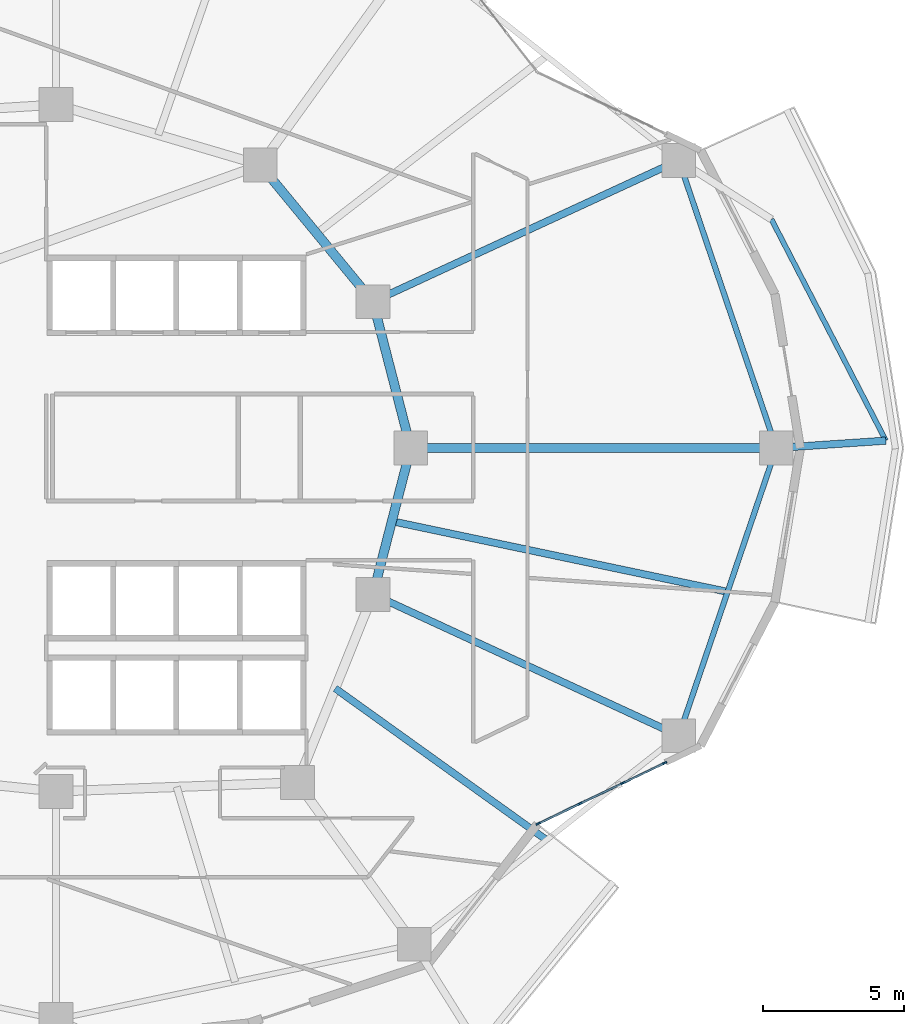
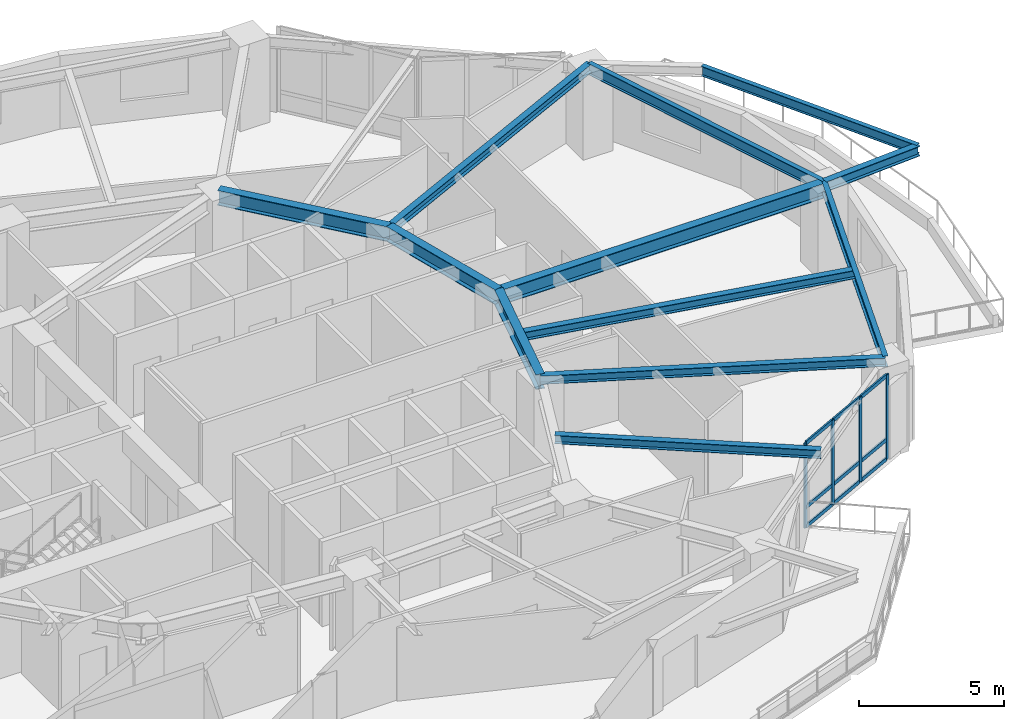
# One storey, part 2 of 13: 13 members, 12 beams, 1 element without a shape of its own.
"""IFC4 building model written with IfcOpenShell, lengths in metres."""

import ifcopenshell
import ifcopenshell.guid

model = None  # the IFC model being written
_history = None  # IfcOwnerHistory: only IFC2X3 demands one
_inside = {}  # id of a spatial element -> (the spatial element, [elements in it])
_under = {}  # id of a project, library or spatial element -> (it, [spatial elements below it])
_declared = {}  # id of a project -> (the project, [libraries it declares])
_typed = {}  # id of a type object -> (the type object, [elements of that type])
_made_of = {}  # id of a material, layer set ... -> (it, [elements and type objects made of it])


def new_model(schema):
    """Start an empty IFC model of exactly this schema.

    Asked for "IFC4X3", IfcOpenShell would pick the latest addendum, in which some entities
    have other attributes; the version numbers below select the first issue.
    IFC2X3 requires an IfcOwnerHistory on every rooted entity: one is made here for all.
    """
    global model, _history
    if schema == "IFC4X3":
        model = ifcopenshell.file(schema_version=(4, 3, 0, 0))
    else:
        model = ifcopenshell.file(schema=schema)
    _inside.clear()
    _under.clear()
    _declared.clear()
    _typed.clear()
    _made_of.clear()
    _history = None
    if model.schema == "IFC2X3":
        org = make("IfcOrganization", Name="unknown")
        user = make(
            "IfcPersonAndOrganization",
            ThePerson=make("IfcPerson", FamilyName="unknown"),
            TheOrganization=org,
        )
        app = make(
            "IfcApplication",
            ApplicationDeveloper=org,
            Version="unknown",
            ApplicationFullName="unknown",
            ApplicationIdentifier="unknown",
        )
        _history = make(
            "IfcOwnerHistory",
            OwningUser=user,
            OwningApplication=app,
            ChangeAction="ADDED",
            CreationDate=0,
        )
    return model


def make(cls, **values):
    """One entity of the class cls with the attributes given. An attribute that is None is left unset."""
    return model.create_entity(
        cls, **{name: value for name, value in values.items() if value is not None}
    )


def rooted(cls, **values):
    """An entity with a GlobalId (a new one), such as an element, a storey or a relation."""
    return make(cls, GlobalId=ifcopenshell.guid.new(), OwnerHistory=_history, **values)


def si_unit(unit_type, name, prefix=None):
    """IfcSIUnit, for example si_unit("LENGTHUNIT", "METRE", prefix="MILLI")."""
    return make("IfcSIUnit", UnitType=unit_type, Prefix=prefix, Name=name)


def assignment(units):
    """IfcUnitAssignment: the units of a project."""
    return None if units is None else make("IfcUnitAssignment", Units=units)


def point(xyz):
    """IfcCartesianPoint."""
    return None if xyz is None else make("IfcCartesianPoint", Coordinates=xyz)


def direction(xyz):
    """IfcDirection."""
    return None if xyz is None else make("IfcDirection", DirectionRatios=xyz)


def frame(location, z_axis=None, x_axis=None):
    """IfcAxis2Placement3D, a coordinate frame: its origin and axes. An axis left out is left unset."""
    return make(
        "IfcAxis2Placement3D",
        Location=point(location),
        Axis=direction(z_axis),
        RefDirection=direction(x_axis),
    )


def frame_2d(location, x_axis=None):
    """IfcAxis2Placement2D, a coordinate frame in the plane: its origin and x axis."""
    return make(
        "IfcAxis2Placement2D", Location=point(location), RefDirection=direction(x_axis)
    )


def origin():
    """The frame at (0, 0, 0) with its axes left unset."""
    return frame((0.0, 0.0, 0.0))


def origin_2d():
    """The frame at (0, 0) in the plane with its x axis left unset."""
    return frame_2d((0.0, 0.0))


def place(relative_to, where):
    """IfcLocalPlacement: puts the frame where relative to a parent placement (None: the world)."""
    return make(
        "IfcLocalPlacement", PlacementRelTo=relative_to, RelativePlacement=where
    )


def context(
    kind, dimensions, precision=None, world=None, true_north=None, identifier=None
):
    """IfcGeometricRepresentationContext, for example the 3D "Model" context."""
    return make(
        "IfcGeometricRepresentationContext",
        ContextIdentifier=identifier,
        ContextType=kind,
        CoordinateSpaceDimension=dimensions,
        Precision=precision,
        WorldCoordinateSystem=world,
        TrueNorth=true_north,
    )


def subcontext(parent, identifier, kind, view, scale=None):
    """IfcGeometricRepresentationSubContext, for example "Body" below "Model"."""
    return make(
        "IfcGeometricRepresentationSubContext",
        ContextIdentifier=identifier,
        ContextType=kind,
        ParentContext=parent,
        TargetScale=scale,
        TargetView=view,
    )


def project(units=None, contexts=None):
    """IfcProject with its units and contexts."""
    return rooted(
        "IfcProject",
        Name="project",
        RepresentationContexts=contexts,
        UnitsInContext=assignment(units),
    )


def spatial(cls, under=None, at=None, **own):
    """A site, building, storey or space (cls), placed at a placement, below another one or the project."""
    s = rooted(cls, ObjectPlacement=at, **own)
    if under is not None:
        _under.setdefault(under.id(), (under, []))[1].append(s)
    return s


def profile(cls, at=None, kind="AREA", **sizes):
    """A parametric profile (cls). Its sizes go by their IFC names, for example OverallWidth=200.0."""
    return make(cls, ProfileType=kind, Position=at, **sizes)


def rectangle(**sizes):
    """IfcRectangleProfileDef."""
    return profile("IfcRectangleProfileDef", **sizes)


def i_section(**sizes):
    """IfcIShapeProfileDef."""
    return profile("IfcIShapeProfileDef", **sizes)


def extrude(swept, where, along, depth):
    """IfcExtrudedAreaSolid: the profile swept, set in the frame where, extruded along a direction by depth."""
    return make(
        "IfcExtrudedAreaSolid",
        SweptArea=swept,
        Position=where,
        ExtrudedDirection=direction(along),
        Depth=depth,
    )


def shape(context_of_items, identifier, shape_type, items):
    """IfcShapeRepresentation: the items that make up one representation, for example the "Body"."""
    return make(
        "IfcShapeRepresentation",
        ContextOfItems=context_of_items,
        RepresentationIdentifier=identifier,
        RepresentationType=shape_type,
        Items=items,
    )


def material(Name=None, Category=None):
    """IfcMaterial."""
    return make("IfcMaterial", Name=Name, Category=Category)


def layer(
    of_material, thickness, ventilated=None, Name=None, Category=None, Priority=None
):
    """IfcMaterialLayer: one layer of a wall or slab, of a material (None: an air gap)."""
    return make(
        "IfcMaterialLayer",
        Material=of_material,
        LayerThickness=thickness,
        IsVentilated=ventilated,
        Name=Name,
        Category=Category,
        Priority=Priority,
    )


def layer_set(layers, Name=None):
    """IfcMaterialLayerSet."""
    return make("IfcMaterialLayerSet", MaterialLayers=layers, LayerSetName=Name)


def material_profile(
    of_material, cross_section, Name=None, Category=None, Priority=None
):
    """IfcMaterialProfile: a cross section and its material."""
    return make(
        "IfcMaterialProfile",
        Name=Name,
        Material=of_material,
        Profile=cross_section,
        Priority=Priority,
        Category=Category,
    )


def profile_set(profiles, Name=None, composite=None):
    """IfcMaterialProfileSet."""
    return make(
        "IfcMaterialProfileSet",
        Name=Name,
        MaterialProfiles=profiles,
        CompositeProfile=composite,
    )


def made_of(thing, what):
    """Note that an element or type object is made of a material, layer set ...; save() writes the relation."""
    if what is not None:
        _made_of.setdefault(what.id(), (what, []))[1].append(thing)
    return thing


def type_object(cls, material=None, **own):
    """A type object (cls), such as IfcWallType, which elements share."""
    return made_of(rooted(cls, **own), material)


def element(
    cls,
    number,
    at=None,
    inside=None,
    cuts=None,
    type_object=None,
    material=None,
    context=None,
    identifier="Body",
    shape_type=None,
    held_by="IfcProductDefinitionShape",
    body=None,
    shapes=None,
    **own,
):
    """One element of the class cls, such as IfcWall. Its Tag is "e" and its number.

    at: its placement. inside: the storey or other place that contains it. cuts: it is an
    opening in that element (IfcRelVoidsElement). A single representation is given by context,
    identifier, shape_type and body (its items); several are given by shapes. held_by: the class
    of the entity that holds the representations. save() writes the other relations.
    """
    e = rooted(cls, Tag="e%d" % number, ObjectPlacement=at, **own)
    if body is not None:
        shapes = [shape(context, identifier, shape_type, body)]
    if shapes is not None:
        e.Representation = make(held_by, Representations=shapes)
    if inside is not None:
        _inside.setdefault(inside.id(), (inside, []))[1].append(e)
    if cuts is not None:
        rooted(
            "IfcRelVoidsElement", RelatingBuildingElement=cuts, RelatedOpeningElement=e
        )
    if type_object is not None:
        _typed.setdefault(type_object.id(), (type_object, []))[1].append(e)
    return made_of(e, material)


def aggregate(whole, parts):
    """IfcRelAggregates: a whole, such as a stair, and the parts it consists of."""
    return rooted("IfcRelAggregates", RelatingObject=whole, RelatedObjects=parts)


def save(model, path):
    """Write the relations noted so far, then the file.

    IfcRelAggregates (storeys below a building ...), IfcRelContainedInSpatialStructure (elements
    in a storey), IfcRelDefinesByType, IfcRelAssociatesMaterial and IfcRelDeclares: one each for
    every whole, place, type object, material and project.
    """
    for whole, parts in _under.values():
        aggregate(whole, parts)
    for where, things in _inside.values():
        rooted(
            "IfcRelContainedInSpatialStructure",
            RelatedElements=things,
            RelatingStructure=where,
        )
    for kind, things in _typed.values():
        rooted("IfcRelDefinesByType", RelatedObjects=things, RelatingType=kind)
    for what, things in _made_of.values():
        rooted("IfcRelAssociatesMaterial", RelatedObjects=things, RelatingMaterial=what)
    for by, libraries in _declared.values():
        rooted("IfcRelDeclares", RelatingContext=by, RelatedDefinitions=libraries)
    model.write(path)


model = new_model("IFC4")

# Units and contexts
model_context = context("Model", 3, precision=1e-05, world=origin(), true_north=direction((0.0, 1.0)))
body_context = subcontext(model_context, "Body", "Model", "MODEL_VIEW")
ifc_project = project(units=[si_unit("LENGTHUNIT", "METRE"), si_unit("AREAUNIT", "SQUARE_METRE"), si_unit("VOLUMEUNIT", "CUBIC_METRE"), si_unit("PLANEANGLEUNIT", "RADIAN"), si_unit("MASSUNIT", "GRAM", prefix="KILO")], contexts=[model_context])

# Site, building, storey
site_placement = place(None, origin())
site = spatial("IfcSite", under=ifc_project, at=site_placement, CompositionType="ELEMENT")
building_placement = place(site_placement, origin())
building = spatial("IfcBuilding", under=site, at=building_placement, Name="Kolvaren Gate Tower and Convention Centre", CompositionType="ELEMENT")
storey_placement = place(building_placement, frame((0.0, 0.0, 76.550048828125)))
storey = spatial("IfcBuildingStorey", under=building, at=storey_placement, Name="L18", CompositionType="ELEMENT", Elevation=76.550048828125)

# Curtain wall, members
ifc_material_1 = material(Name="Anodized Architectural Aluminium Alloy 6063-T6", Category="aluminium")
ifc_layer = layer(ifc_material_1, 0.159912109375)
ifc_layer_set = layer_set([ifc_layer], Name="Anodized Architectural Aluminium Alloy 6063-T6")
curtain_wall_type = type_object("IfcCurtainWallType", Name="CW-OFF-UNIT", PredefinedType="NOTDEFINED", material=ifc_layer_set)
curtain_wall_placement = place(storey_placement, origin())
curtain_wall = element("IfcCurtainWall", 1, at=curtain_wall_placement, inside=storey, type_object=curtain_wall_type, Name="Tower L18 Unitised Curtain Wall CW-OFF-UNIT Bay 21", PredefinedType="NOTDEFINED")
ifc_material_profile_1 = material_profile(ifc_material_1, rectangle(XDim=0.06494140625, YDim=0.159912109375, at=origin_2d()), Name="CW-MEM-MUL-160")
ifc_profile_set_1 = profile_set([ifc_material_profile_1], Name="Anodized Architectural Aluminium Alloy 6063-T6")
member_type_1 = type_object("IfcMemberType", Name="CW-MEM-MUL-160", PredefinedType="MULLION", material=ifc_profile_set_1)
member_1_placement = place(storey_placement, frame((47.253173828125, 13.654052734375, 0.0), z_axis=(0.0, 0.0, 1.0), x_axis=(-0.433067077196, 0.901361695796, 0.0)))
member_1 = element("IfcMember", 2, at=member_1_placement, type_object=member_type_1, Name="CW-02 mullion 1", PredefinedType="MULLION", context=body_context, shape_type="SweptSolid", body=[
    extrude(rectangle(XDim=0.06494140625, YDim=0.159912109375, at=origin_2d()), origin(), (0.0, 0.0, 1.0), 3.570068359375),
])
member_2_placement = place(storey_placement, frame((48.7412109375, 14.368896484375, 0.0), z_axis=(0.0, 0.0, 1.0), x_axis=(-0.433067077196, 0.901361695796, 0.0)))
member_2 = element("IfcMember", 3, at=member_2_placement, type_object=member_type_1, Name="CW-02 mullion 2", PredefinedType="MULLION", context=body_context, shape_type="SweptSolid", body=[
    extrude(rectangle(XDim=0.06494140625, YDim=0.159912109375, at=origin_2d()), origin(), (0.0, 0.0, 1.0), 3.570068359375),
])
member_3_placement = place(storey_placement, frame((50.258544921875, 15.097900390625, 0.0), z_axis=(0.0, 0.0, 1.0), x_axis=(-0.433067077196, 0.901361695796, 0.0)))
member_3 = element("IfcMember", 4, at=member_3_placement, type_object=member_type_1, Name="CW-02 mullion 3", PredefinedType="MULLION", context=body_context, shape_type="SweptSolid", body=[
    extrude(rectangle(XDim=0.06494140625, YDim=0.159912109375, at=origin_2d()), origin(), (0.0, 0.0, 1.0), 3.570068359375),
])
member_4_placement = place(storey_placement, frame((51.74658203125, 15.812744140625, 0.0), z_axis=(0.0, 0.0, 1.0), x_axis=(-0.433067077196, 0.901361695796, 0.0)))
member_4 = element("IfcMember", 5, at=member_4_placement, type_object=member_type_1, Name="CW-02 mullion 4", PredefinedType="MULLION", context=body_context, shape_type="SweptSolid", body=[
    extrude(rectangle(XDim=0.06494140625, YDim=0.159912109375, at=origin_2d()), origin(), (0.0, 0.0, 1.0), 3.570068359375),
])
ifc_material_profile_2 = material_profile(ifc_material_1, rectangle(XDim=0.06494140625, YDim=0.159912109375, at=origin_2d()), Name="CW-MEM-TRN-160")
ifc_profile_set_2 = profile_set([ifc_material_profile_2], Name="Anodized Architectural Aluminium Alloy 6063-T6")
member_type_2 = type_object("IfcMemberType", Name="CW-MEM-TRN-160", PredefinedType="USERDEFINED", material=ifc_profile_set_2)
member_5_placement = place(storey_placement, frame((47.282470703125, 13.66796875, 0.032470703125), z_axis=(0.90136684843, 0.433056352628, 0.0), x_axis=(-0.433056352628, 0.90136684843, 0.0)))
member_5 = element("IfcMember", 6, at=member_5_placement, type_object=member_type_2, Name="CW-02 transom 1.1", ObjectType="TRANSOM", PredefinedType="USERDEFINED", context=body_context, shape_type="SweptSolid", body=[
    extrude(rectangle(XDim=0.06494140625, YDim=0.159912109375, at=origin_2d()), origin(), (0.0, 0.0, 1.0), 1.5859375),
])
member_6_placement = place(storey_placement, frame((47.282470703125, 13.66796875, 0.849853515625), z_axis=(0.90136684843, 0.433056352628, 0.0), x_axis=(-0.433056352628, 0.90136684843, 0.0)))
member_6 = element("IfcMember", 7, at=member_6_placement, type_object=member_type_2, Name="CW-02 transom 1.2", ObjectType="TRANSOM", PredefinedType="USERDEFINED", context=body_context, shape_type="SweptSolid", body=[
    extrude(rectangle(XDim=0.06494140625, YDim=0.159912109375, at=origin_2d()), origin(), (0.0, 0.0, 1.0), 1.5859375),
])
member_7_placement = place(storey_placement, frame((47.282470703125, 13.66796875, 3.537353515625), z_axis=(0.90136684843, 0.433056352628, 0.0), x_axis=(-0.433056352628, 0.90136684843, 0.0)))
member_7 = element("IfcMember", 8, at=member_7_placement, type_object=member_type_2, Name="CW-02 transom 1.3", ObjectType="TRANSOM", PredefinedType="USERDEFINED", context=body_context, shape_type="SweptSolid", body=[
    extrude(rectangle(XDim=0.06494140625, YDim=0.159912109375, at=origin_2d()), origin(), (0.0, 0.0, 1.0), 1.5859375),
])
member_8_placement = place(storey_placement, frame((48.7705078125, 14.383056640625, 0.032470703125), z_axis=(0.901405315808, 0.432976277217, 0.0), x_axis=(-0.432976277217, 0.901405315808, 0.0)))
member_8 = element("IfcMember", 9, at=member_8_placement, type_object=member_type_2, Name="CW-02 transom 2.1", ObjectType="TRANSOM", PredefinedType="USERDEFINED", context=body_context, shape_type="SweptSolid", body=[
    extrude(rectangle(XDim=0.06494140625, YDim=0.159912109375, at=origin_2d()), origin(), (0.0, 0.0, 1.0), 1.618408203125),
])
member_9_placement = place(storey_placement, frame((48.7705078125, 14.383056640625, 0.849853515625), z_axis=(0.901405315808, 0.432976277217, 0.0), x_axis=(-0.432976277217, 0.901405315808, 0.0)))
member_9 = element("IfcMember", 10, at=member_9_placement, type_object=member_type_2, Name="CW-02 transom 2.2", ObjectType="TRANSOM", PredefinedType="USERDEFINED", context=body_context, shape_type="SweptSolid", body=[
    extrude(rectangle(XDim=0.06494140625, YDim=0.159912109375, at=origin_2d()), origin(), (0.0, 0.0, 1.0), 1.618408203125),
])
member_10_placement = place(storey_placement, frame((48.7705078125, 14.383056640625, 3.537353515625), z_axis=(0.901405315808, 0.432976277217, 0.0), x_axis=(-0.432976277217, 0.901405315808, 0.0)))
member_10 = element("IfcMember", 11, at=member_10_placement, type_object=member_type_2, Name="CW-02 transom 2.3", ObjectType="TRANSOM", PredefinedType="USERDEFINED", context=body_context, shape_type="SweptSolid", body=[
    extrude(rectangle(XDim=0.06494140625, YDim=0.159912109375, at=origin_2d()), origin(), (0.0, 0.0, 1.0), 1.618408203125),
])
member_11_placement = place(storey_placement, frame((50.287841796875, 15.112060546875, 0.032470703125), z_axis=(0.90136684843, 0.433056352628, 0.0), x_axis=(-0.433056352628, 0.90136684843, 0.0)))
member_11 = element("IfcMember", 12, at=member_11_placement, type_object=member_type_2, Name="CW-02 transom 3.1", ObjectType="TRANSOM", PredefinedType="USERDEFINED", context=body_context, shape_type="SweptSolid", body=[
    extrude(rectangle(XDim=0.06494140625, YDim=0.159912109375, at=origin_2d()), origin(), (0.0, 0.0, 1.0), 1.5859375),
])
member_12_placement = place(storey_placement, frame((50.287841796875, 15.112060546875, 0.849853515625), z_axis=(0.90136684843, 0.433056352628, 0.0), x_axis=(-0.433056352628, 0.90136684843, 0.0)))
member_12 = element("IfcMember", 13, at=member_12_placement, type_object=member_type_2, Name="CW-02 transom 3.2", ObjectType="TRANSOM", PredefinedType="USERDEFINED", context=body_context, shape_type="SweptSolid", body=[
    extrude(rectangle(XDim=0.06494140625, YDim=0.159912109375, at=origin_2d()), origin(), (0.0, 0.0, 1.0), 1.5859375),
])
member_13_placement = place(storey_placement, frame((50.287841796875, 15.112060546875, 3.537353515625), z_axis=(0.90136684843, 0.433056352628, 0.0), x_axis=(-0.433056352628, 0.90136684843, 0.0)))
member_13 = element("IfcMember", 14, at=member_13_placement, type_object=member_type_2, Name="CW-02 transom 3.3", ObjectType="TRANSOM", PredefinedType="USERDEFINED", context=body_context, shape_type="SweptSolid", body=[
    extrude(rectangle(XDim=0.06494140625, YDim=0.159912109375, at=origin_2d()), origin(), (0.0, 0.0, 1.0), 1.5859375),
])
aggregate(curtain_wall, [member_1, member_2, member_3, member_4, member_5, member_6, member_7, member_8, member_9, member_10, member_11, member_12, member_13])

# Beams
ifc_material_2 = material(Name="Structural steel ASTM A992 Grade 345 MPa", Category="steel")
ifc_material_profile_3 = material_profile(ifc_material_2, i_section(OverallWidth=0.260009765625, OverallDepth=0.419921875, WebThickness=0.013427734375, FlangeThickness=0.0224609375, at=origin_2d()), Name="W410X132")
ifc_profile_set_3 = profile_set([ifc_material_profile_3], Name="Structural steel ASTM A992 Grade 345 MPa")
beam_type_1 = type_object("IfcBeamType", Name="STR-BM-W410X132", PredefinedType="BEAM", material=ifc_profile_set_3)
beam_1_placement = place(storey_placement, frame((55.71240234375, 27.0, 3.3603515625), z_axis=(0.997745931522, 0.067104814517, 0.0), x_axis=(-0.067104814517, 0.997745931522, 0.0)))
element("IfcBeam", 15, at=beam_1_placement, inside=storey, type_object=beam_type_1, Name="Tower L19 Planted Balcony Outrigger Cantilever BC-4A", PredefinedType="BEAM", context=body_context, shape_type="SweptSolid", body=[
    extrude(i_section(OverallWidth=0.260009765625, OverallDepth=0.419921875, WebThickness=0.013427734375, FlangeThickness=0.0224609375, at=origin_2d()), origin(), (0.0, 0.0, 1.0), 3.900146484375),
])
ifc_material_profile_4 = material_profile(ifc_material_2, i_section(OverallWidth=0.327880859375, OverallDepth=0.6279296875, WebThickness=0.0166015625, FlangeThickness=0.027587890625, at=origin_2d()), Name="W610X217")
ifc_profile_set_4 = profile_set([ifc_material_profile_4], Name="Structural steel ASTM A992 Grade 345 MPa")
beam_type_2 = type_object("IfcBeamType", Name="STR-BM-W610X217", PredefinedType="BEAM", material=ifc_profile_set_4)
beam_2_placement = place(storey_placement, frame((42.72509765625, 27.0, 3.255859375), z_axis=(-0.250091133936, -0.968222301296, 0.0), x_axis=(0.968222301296, -0.250091133936, 0.0)))
element("IfcBeam", 16, at=beam_2_placement, inside=storey, type_object=beam_type_2, Name="Tower L18 Primary Ring Girder G-01", PredefinedType="BEAM", context=body_context, shape_type="SweptSolid", body=[
    extrude(i_section(OverallWidth=0.327880859375, OverallDepth=0.6279296875, WebThickness=0.0166015625, FlangeThickness=0.027587890625, at=origin_2d()), origin(), (0.0, 0.0, 1.0), 5.3701171875),
])
beam_3_placement = place(storey_placement, frame((41.382080078125, 32.199462890625, 3.255859375), z_axis=(-0.635884066011, 0.771784590798, 0.0), x_axis=(-0.771784590798, -0.635884066011, 0.0)))
element("IfcBeam", 17, at=beam_3_placement, inside=storey, type_object=beam_type_2, Name="Tower L18 Primary Ring Girder G-02", PredefinedType="BEAM", context=body_context, shape_type="SweptSolid", body=[
    extrude(i_section(OverallWidth=0.327880859375, OverallDepth=0.6279296875, WebThickness=0.0166015625, FlangeThickness=0.027587890625, at=origin_2d()), origin(), (0.0, 0.0, 1.0), 6.291259765625),
])
beam_4_placement = place(storey_placement, frame((42.72509765625, 27.0, 3.255859375), z_axis=(-0.250091133936, 0.968222301296, 0.0), x_axis=(-0.968222301296, -0.250091133936, 0.0)))
element("IfcBeam", 18, at=beam_4_placement, inside=storey, type_object=beam_type_2, Name="Tower L18 Primary Ring Girder G-12", PredefinedType="BEAM", context=body_context, shape_type="SweptSolid", body=[
    extrude(i_section(OverallWidth=0.327880859375, OverallDepth=0.6279296875, WebThickness=0.0166015625, FlangeThickness=0.027587890625, at=origin_2d()), origin(), (0.0, 0.0, 1.0), 5.3701171875),
])
beam_5_placement = place(storey_placement, frame((42.72509765625, 27.0, 3.255859375), z_axis=(1.0, 0.0, 0.0), x_axis=(0.0, 1.0, 0.0)))
element("IfcBeam", 19, at=beam_5_placement, inside=storey, type_object=beam_type_2, Name="Tower L18 Radial Floor Girder RB-01", PredefinedType="BEAM", context=body_context, shape_type="SweptSolid", body=[
    extrude(i_section(OverallWidth=0.327880859375, OverallDepth=0.6279296875, WebThickness=0.0166015625, FlangeThickness=0.027587890625, at=origin_2d()), origin(), (0.0, 0.0, 1.0), 12.9873046875),
])
ifc_material_profile_5 = material_profile(ifc_material_2, i_section(OverallWidth=0.2548828125, OverallDepth=0.35693359375, WebThickness=0.010498046875, FlangeThickness=0.018310546875, at=origin_2d()), Name="W360X101")
ifc_profile_set_5 = profile_set([ifc_material_profile_5], Name="Structural steel ASTM A992 Grade 345 MPa")
beam_type_3 = type_object("IfcBeamType", Name="STR-JS-W360X101", PredefinedType="JOIST", material=ifc_profile_set_5)
for number, where, z_axis, x_axis, name in (
    (20, (41.382080078125, 32.199462890625, 3.391357421875), (0.907843538102, 0.419309086864, 0.0), (-0.419309086864, 0.907843538102, 0.0), "Tower L18 Radial Floor Girder RB-02"),
    (21, (41.382080078125, 21.800537109375, 3.391357421875), (0.907843538102, -0.419309086864, 0.0), (0.419309086864, 0.907843538102, 0.0), "Tower L18 Radial Floor Girder RB-12"),
):
    element("IfcBeam", number, at=place(storey_placement, frame(where, z_axis=z_axis, x_axis=x_axis)), inside=storey, type_object=beam_type_3, Name=name, PredefinedType="JOIST", context=body_context, shape_type="SweptSolid", body=[
        extrude(i_section(OverallWidth=0.2548828125, OverallDepth=0.35693359375, WebThickness=0.010498046875, FlangeThickness=0.018310546875, at=origin_2d()), origin(), (0.0, 0.0, 1.0), 11.9697265625),
    ])
beam_6_placement = place(storey_placement, frame((40.040283203125, 18.46044921875, 3.391357421875), z_axis=(0.812660683761, -0.582737173234, 0.0), x_axis=(0.582737173234, 0.812660683761, 0.0)))
element("IfcBeam", 22, at=beam_6_placement, inside=storey, type_object=beam_type_3, Name="Tower L18 Secondary Composite Floor Joist J-11.1", PredefinedType="JOIST", context=body_context, shape_type="SweptSolid", body=[
    extrude(i_section(OverallWidth=0.2548828125, OverallDepth=0.35693359375, WebThickness=0.010498046875, FlangeThickness=0.018310546875, at=origin_2d()), origin(), (0.0, 0.0, 1.0), 9.238037109375),
])
beam_7_placement = place(storey_placement, frame((42.0537109375, 24.400146484375, 3.391357421875), z_axis=(0.978573369431, -0.205898423114, 0.0), x_axis=(0.205898423114, 0.978573369431, 0.0)))
element("IfcBeam", 23, at=beam_7_placement, inside=storey, type_object=beam_type_3, Name="Tower L18 Secondary Composite Floor Joist J-12.1", PredefinedType="JOIST", context=body_context, shape_type="SweptSolid", body=[
    extrude(i_section(OverallWidth=0.2548828125, OverallDepth=0.35693359375, WebThickness=0.010498046875, FlangeThickness=0.018310546875, at=origin_2d()), origin(), (0.0, 0.0, 1.0), 12.188232421875),
])
ifc_material_profile_6 = material_profile(ifc_material_2, i_section(OverallWidth=0.180908203125, OverallDepth=0.4169921875, WebThickness=0.010986328125, FlangeThickness=0.018310546875, at=origin_2d()), Name="W410X85")
ifc_profile_set_6 = profile_set([ifc_material_profile_6], Name="Structural steel ASTM A992 Grade 345 MPa")
beam_type_4 = type_object("IfcBeamType", Name="STR-SP-W410X85", PredefinedType="SPANDREL", material=ifc_profile_set_6)
beam_8_placement = place(storey_placement, frame((59.603759765625, 27.26171875, 3.362060546875), z_axis=(-0.459287093639, 0.888287884425, 0.0), x_axis=(-0.888287884425, -0.459287093639, 0.0)))
element("IfcBeam", 24, at=beam_8_placement, inside=storey, type_object=beam_type_4, Name="Tower L19 Planted Balcony Header Tie Beam BT-4", PredefinedType="SPANDREL", context=body_context, shape_type="SweptSolid", body=[
    extrude(i_section(OverallWidth=0.180908203125, OverallDepth=0.4169921875, WebThickness=0.010986328125, FlangeThickness=0.018310546875, at=origin_2d()), origin(), (0.0, 0.0, 1.0), 8.85107421875),
])
ifc_material_profile_7 = material_profile(ifc_material_2, i_section(OverallWidth=0.194091796875, OverallDepth=0.468994140625, WebThickness=0.0126953125, FlangeThickness=0.0205078125, at=origin_2d()), Name="W460X106")
ifc_profile_set_7 = profile_set([ifc_material_profile_7], Name="Structural steel ASTM A992 Grade 345 MPa")
beam_type_5 = type_object("IfcBeamType", Name="STR-SP-W460X106", PredefinedType="SPANDREL", material=ifc_profile_set_7)
for number, where, z_axis, x_axis, name in (
    (25, (55.71240234375, 27.0, 3.33544921875), (-0.321016233787, 0.947073691771, 0.0), (-0.947073691771, -0.321016233787, 0.0), "Tower L18 Perimeter Spandrel Beam SP-01"),
    (26, (52.248779296875, 16.781494140625, 3.33544921875), (0.321016233787, 0.947073691771, 0.0), (-0.947073691771, 0.321016233787, 0.0), "Tower L18 Perimeter Spandrel Beam SP-12"),
):
    element("IfcBeam", number, at=place(storey_placement, frame(where, z_axis=z_axis, x_axis=x_axis)), inside=storey, type_object=beam_type_5, Name=name, PredefinedType="SPANDREL", context=body_context, shape_type="SweptSolid", body=[
        extrude(i_section(OverallWidth=0.194091796875, OverallDepth=0.468994140625, WebThickness=0.0126953125, FlangeThickness=0.0205078125, at=origin_2d()), origin(), (0.0, 0.0, 1.0), 10.78955078125),
    ])

save(model, "model.ifc")
